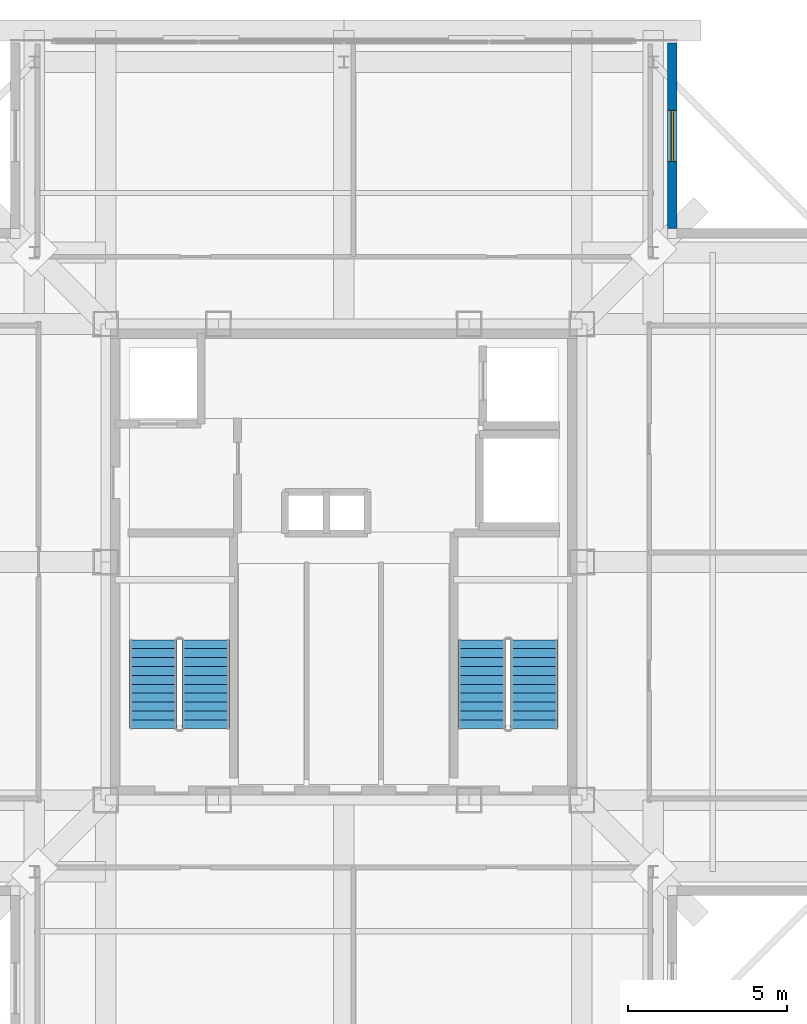
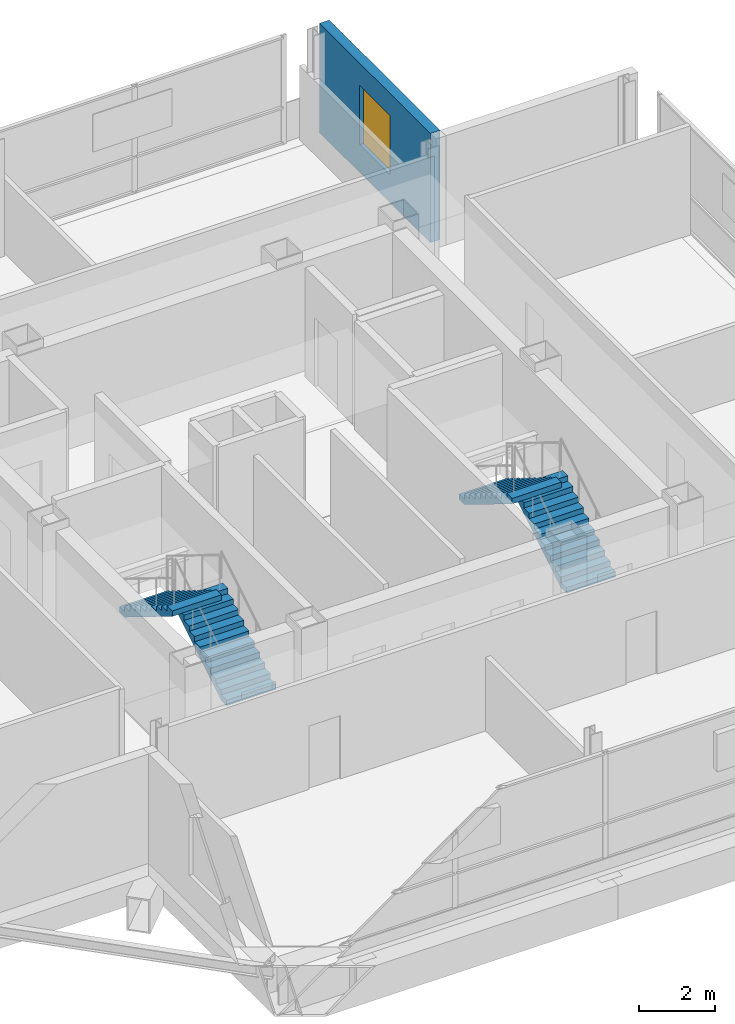
# One storey, part 10 of 12: 4 stair flights, 1 wall, 1 window, 1 opening, 2 elements without a shape of their own.
"""IFC4 building model written with IfcOpenShell, lengths in metres."""

from ifc_helpers import new_model, si_unit, direction, frame, frame_2d, origin, place, context, subcontext, project, spatial, polyline, rectangle, outline, extrude, material, layer, layer_set, type_object, element, fill, aggregate, save


model = new_model("IFC4")

# Units and contexts
model_context = context("Model", 3, precision=1e-05, world=origin(), true_north=direction((0.0, 1.0)))
body_context = subcontext(model_context, "Body", "Model", "MODEL_VIEW")
ifc_project = project(units=[si_unit("LENGTHUNIT", "METRE"), si_unit("AREAUNIT", "SQUARE_METRE"), si_unit("VOLUMEUNIT", "CUBIC_METRE"), si_unit("PLANEANGLEUNIT", "RADIAN"), si_unit("MASSUNIT", "GRAM", prefix="KILO")], contexts=[model_context])

# Site, building, storey
site_placement = place(None, origin())
site = spatial("IfcSite", under=ifc_project, at=site_placement, CompositionType="ELEMENT")
building_placement = place(site_placement, origin())
building = spatial("IfcBuilding", under=site, at=building_placement, Name="Trevonay Congress Spire", CompositionType="ELEMENT")
storey_placement = place(building_placement, frame((0.0, 0.0, 308.39990234375)))
storey = spatial("IfcBuildingStorey", under=building, at=storey_placement, Name="L81", CompositionType="ELEMENT", Elevation=308.39990234375)

# Wall, opening, window
ifc_material_1 = material(Name="Precast concrete C40/50", Category="concrete")
ifc_layer = layer(ifc_material_1, 0.300048828125, Name="Precast concrete C40/50")
ifc_layer_set = layer_set([ifc_layer], Name="Precast concrete C40/50")
wall_type = type_object("IfcWallType", Name="WAL-EXT-PRECAST-300", PredefinedType="SOLIDWALL", material=ifc_layer_set)
wall_placement = place(storey_placement, frame((10.35009765625, 16.35009765625, 0.0), z_axis=(0.0, 0.0, 1.0), x_axis=(0.0, -1.0, 0.0)))
wall = element("IfcWall", 1, at=wall_placement, inside=storey, type_object=wall_type, Name="L81 NE re-entrant notch exterior wall 1", PredefinedType="SOLIDWALL", context=body_context, shape_type="SweptSolid", body=[
    extrude(rectangle(XDim=5.85009765625, YDim=0.300048828125, at=frame_2d((2.925048828125, 0.0))), origin(), (0.0, 0.0, 1.0), 3.52001953125),
])
opening_placement = place(wall_placement, frame((2.125, 0.0, 0.89990234375)))
opening = element("IfcOpeningElement", 2, at=opening_placement, cuts=wall, Name="Opening WN04", PredefinedType="OPENING", context=body_context, shape_type="SweptSolid", body=[
    extrude(rectangle(XDim=1.60009765625, YDim=1.89990234375, at=frame_2d((0.800048828125, 0.949951171875))), frame((0.0, 0.16015625, 0.0), z_axis=(0.0, -1.0, 0.0), x_axis=(1.0, 0.0, 0.0)), (0.0, 0.0, 1.0), 0.320068359375),
])
ifc_material_2 = material(Name="Insulated Low-E Vision Glass IGU", Category="glass")
window_type = type_object("IfcWindowType", Name="WIN-CROWN-160X190", PartitioningType="SINGLE_PANEL", PredefinedType="WINDOW", material=ifc_material_2)
window_placement = place(opening_placement, origin())
window = element("IfcWindow", 3, at=window_placement, inside=storey, type_object=window_type, Name="L81 NE corner notch window", OverallHeight=1.89990234375, OverallWidth=1.60009765625, PartitioningType="SINGLE_PANEL", PredefinedType="WINDOW", context=body_context, shape_type="SweptSolid", body=[
    extrude(rectangle(XDim=1.60009765625, YDim=1.89990234375, at=frame_2d((0.800048828125, 0.949951171875))), frame((0.0, 0.030029296875, 0.0), z_axis=(0.0, -1.0, 0.0), x_axis=(1.0, 0.0, 0.0)), (0.0, 0.0, 1.0), 0.06005859375),
])
fill(opening, window)

# Stair, stair flights
ifc_material_3 = material(Name="Concrete C40/50", Category="concrete")
stair_type_1 = type_object("IfcStairType", Name="STR-ST-1", PredefinedType="HALF_TURN_STAIR", material=ifc_material_3)
stair_1_placement = place(storey_placement, origin())
stair_1 = element("IfcStair", 4, at=stair_1_placement, inside=storey, type_object=stair_type_1, Name="L81 Protected Exit Stair ST-1", PredefinedType="HALF_TURN_STAIR")
stair_flight_type_1 = type_object("IfcStairFlightType", Name="SFL-ST-1", PredefinedType="STRAIGHT", material=ifc_material_3)
stair_flight_1_placement = place(storey_placement, frame((-4.35009765625, -5.25, 0.0), z_axis=(0.0, 0.0, 1.0), x_axis=(0.0, 1.0, 0.0)))
stair_flight_1 = element("IfcStairFlight", 5, at=stair_flight_1_placement, type_object=stair_flight_type_1, Name="ST-1 flight 1", NumberOfRisers=11, NumberOfTreads=10, PredefinedType="STRAIGHT", RiserHeight=0.172727273, TreadLength=0.28, context=body_context, shape_type="SweptSolid", body=[
    extrude(outline(polyline([(0.0, 0.0), (0.0, 0.172607421875), (0.280029296875, 0.172607421875), (0.280029296875, 0.345458984375), (0.56005859375, 0.345458984375), (0.56005859375, 0.51806640625), (0.840087890625, 0.51806640625), (0.840087890625, 0.69091796875), (1.1201171875, 0.69091796875), (1.1201171875, 0.863525390625), (1.39990234375, 0.863525390625), (1.39990234375, 1.036376953125), (1.679931640625, 1.036376953125), (1.679931640625, 1.208984375), (1.9599609375, 1.208984375), (1.9599609375, 1.3818359375), (2.239990234375, 1.3818359375), (2.239990234375, 1.554443359375), (2.52001953125, 1.554443359375), (2.52001953125, 1.727294921875), (2.800048828125, 1.727294921875), (2.800048828125, 1.89990234375), (2.800048828125, 1.551025390625), (0.285400390625, 0.0), (0.0, 0.0)])), frame((0.0, 0.75, 0.0), z_axis=(0.0, -1.0, 0.0), x_axis=(1.0, 0.0, 0.0)), (0.0, 0.0, 1.0), 1.5),
])
stair_flight_2_placement = place(storey_placement, frame((-6.0, -2.449951171875, 1.900146484375), z_axis=(0.0, 0.0, 1.0), x_axis=(0.0, -1.0, 0.0)))
stair_flight_2 = element("IfcStairFlight", 6, at=stair_flight_2_placement, type_object=stair_flight_type_1, Name="ST-1 flight 2", NumberOfRisers=11, NumberOfTreads=10, PredefinedType="STRAIGHT", RiserHeight=0.172727273, TreadLength=0.28, context=body_context, shape_type="SweptSolid", body=[
    extrude(outline(polyline([(0.0, 0.0), (0.0, 0.172607421875), (0.280029296875, 0.172607421875), (0.280029296875, 0.345458984375), (0.56005859375, 0.345458984375), (0.56005859375, 0.51806640625), (0.840087890625, 0.51806640625), (0.840087890625, 0.69091796875), (1.1201171875, 0.69091796875), (1.1201171875, 0.863525390625), (1.39990234375, 0.863525390625), (1.39990234375, 1.036376953125), (1.679931640625, 1.036376953125), (1.679931640625, 1.208984375), (1.9599609375, 1.208984375), (1.9599609375, 1.3818359375), (2.239990234375, 1.3818359375), (2.239990234375, 1.554443359375), (2.52001953125, 1.554443359375), (2.52001953125, 1.727294921875), (2.800048828125, 1.727294921875), (2.800048828125, 1.89990234375), (2.800048828125, 1.551025390625), (0.285400390625, 0.0), (0.0, 0.0)])), frame((0.0, 0.75, 0.0), z_axis=(0.0, -1.0, 0.0), x_axis=(1.0, 0.0, 0.0)), (0.0, 0.0, 1.0), 1.5),
])
aggregate(stair_1, [stair_flight_1, stair_flight_2])

stair_type_2 = type_object("IfcStairType", Name="STR-ST-2", PredefinedType="HALF_TURN_STAIR", material=ifc_material_3)
stair_2_placement = place(storey_placement, origin())
stair_2 = element("IfcStair", 7, at=stair_2_placement, inside=storey, type_object=stair_type_2, Name="L81 Protected Exit Stair ST-2", PredefinedType="HALF_TURN_STAIR")
stair_flight_type_2 = type_object("IfcStairFlightType", Name="SFL-ST-2", PredefinedType="STRAIGHT", material=ifc_material_3)
stair_flight_3_placement = place(storey_placement, frame((6.0, -5.25, 0.0), z_axis=(0.0, 0.0, 1.0), x_axis=(0.0, 1.0, 0.0)))
stair_flight_3 = element("IfcStairFlight", 8, at=stair_flight_3_placement, type_object=stair_flight_type_2, Name="ST-2 flight 1", NumberOfRisers=11, NumberOfTreads=10, PredefinedType="STRAIGHT", RiserHeight=0.172727273, TreadLength=0.28, context=body_context, shape_type="SweptSolid", body=[
    extrude(outline(polyline([(0.0, 0.0), (0.0, 0.172607421875), (0.280029296875, 0.172607421875), (0.280029296875, 0.345458984375), (0.56005859375, 0.345458984375), (0.56005859375, 0.51806640625), (0.840087890625, 0.51806640625), (0.840087890625, 0.69091796875), (1.1201171875, 0.69091796875), (1.1201171875, 0.863525390625), (1.39990234375, 0.863525390625), (1.39990234375, 1.036376953125), (1.679931640625, 1.036376953125), (1.679931640625, 1.208984375), (1.9599609375, 1.208984375), (1.9599609375, 1.3818359375), (2.239990234375, 1.3818359375), (2.239990234375, 1.554443359375), (2.52001953125, 1.554443359375), (2.52001953125, 1.727294921875), (2.800048828125, 1.727294921875), (2.800048828125, 1.89990234375), (2.800048828125, 1.551025390625), (0.285400390625, 0.0), (0.0, 0.0)])), frame((0.0, 0.75, 0.0), z_axis=(0.0, -1.0, 0.0), x_axis=(1.0, 0.0, 0.0)), (0.0, 0.0, 1.0), 1.5),
])
stair_flight_4_placement = place(storey_placement, frame((4.35009765625, -2.449951171875, 1.900146484375), z_axis=(0.0, 0.0, 1.0), x_axis=(0.0, -1.0, 0.0)))
stair_flight_4 = element("IfcStairFlight", 9, at=stair_flight_4_placement, type_object=stair_flight_type_2, Name="ST-2 flight 2", NumberOfRisers=11, NumberOfTreads=10, PredefinedType="STRAIGHT", RiserHeight=0.172727273, TreadLength=0.28, context=body_context, shape_type="SweptSolid", body=[
    extrude(outline(polyline([(0.0, 0.0), (0.0, 0.172607421875), (0.280029296875, 0.172607421875), (0.280029296875, 0.345458984375), (0.56005859375, 0.345458984375), (0.56005859375, 0.51806640625), (0.840087890625, 0.51806640625), (0.840087890625, 0.69091796875), (1.1201171875, 0.69091796875), (1.1201171875, 0.863525390625), (1.39990234375, 0.863525390625), (1.39990234375, 1.036376953125), (1.679931640625, 1.036376953125), (1.679931640625, 1.208984375), (1.9599609375, 1.208984375), (1.9599609375, 1.3818359375), (2.239990234375, 1.3818359375), (2.239990234375, 1.554443359375), (2.52001953125, 1.554443359375), (2.52001953125, 1.727294921875), (2.800048828125, 1.727294921875), (2.800048828125, 1.89990234375), (2.800048828125, 1.551025390625), (0.285400390625, 0.0), (0.0, 0.0)])), frame((0.0, 0.75, 0.0), z_axis=(0.0, -1.0, 0.0), x_axis=(1.0, 0.0, 0.0)), (0.0, 0.0, 1.0), 1.5),
])
aggregate(stair_2, [stair_flight_3, stair_flight_4])

save(model, "model.ifc")
